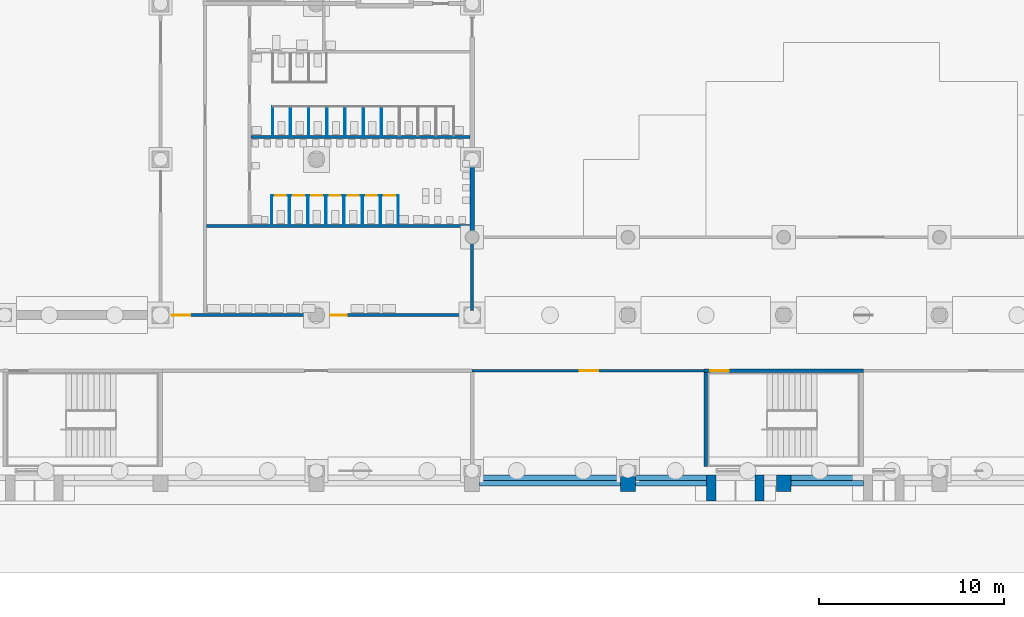
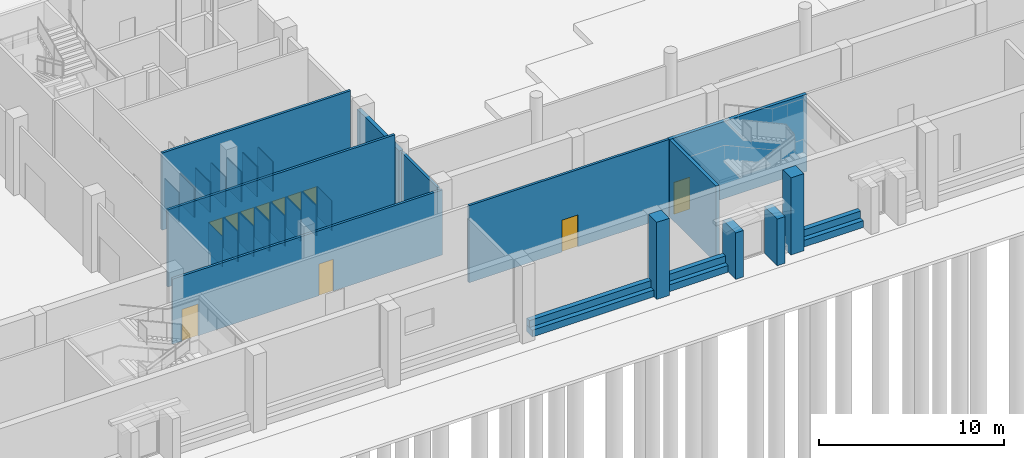
# One storey, part 16 of 74: 52 walls, 11 doors, 11 openings.
"""IFC4 building model written with IfcOpenShell, lengths in metres."""

import ifcopenshell
import ifcopenshell.guid

model = None  # the IFC model being written
_history = None  # IfcOwnerHistory: only IFC2X3 demands one
_inside = {}  # id of a spatial element -> (the spatial element, [elements in it])
_under = {}  # id of a project, library or spatial element -> (it, [spatial elements below it])
_declared = {}  # id of a project -> (the project, [libraries it declares])
_typed = {}  # id of a type object -> (the type object, [elements of that type])
_made_of = {}  # id of a material, layer set ... -> (it, [elements and type objects made of it])


def new_model(schema):
    """Start an empty IFC model of exactly this schema.

    Asked for "IFC4X3", IfcOpenShell would pick the latest addendum, in which some entities
    have other attributes; the version numbers below select the first issue.
    IFC2X3 requires an IfcOwnerHistory on every rooted entity: one is made here for all.
    """
    global model, _history
    if schema == "IFC4X3":
        model = ifcopenshell.file(schema_version=(4, 3, 0, 0))
    else:
        model = ifcopenshell.file(schema=schema)
    _inside.clear()
    _under.clear()
    _declared.clear()
    _typed.clear()
    _made_of.clear()
    _history = None
    if model.schema == "IFC2X3":
        org = make("IfcOrganization", Name="unknown")
        user = make(
            "IfcPersonAndOrganization",
            ThePerson=make("IfcPerson", FamilyName="unknown"),
            TheOrganization=org,
        )
        app = make(
            "IfcApplication",
            ApplicationDeveloper=org,
            Version="unknown",
            ApplicationFullName="unknown",
            ApplicationIdentifier="unknown",
        )
        _history = make(
            "IfcOwnerHistory",
            OwningUser=user,
            OwningApplication=app,
            ChangeAction="ADDED",
            CreationDate=0,
        )
    return model


def make(cls, **values):
    """One entity of the class cls with the attributes given. An attribute that is None is left unset."""
    return model.create_entity(
        cls, **{name: value for name, value in values.items() if value is not None}
    )


def rooted(cls, **values):
    """An entity with a GlobalId (a new one), such as an element, a storey or a relation."""
    return make(cls, GlobalId=ifcopenshell.guid.new(), OwnerHistory=_history, **values)


def si_unit(unit_type, name, prefix=None):
    """IfcSIUnit, for example si_unit("LENGTHUNIT", "METRE", prefix="MILLI")."""
    return make("IfcSIUnit", UnitType=unit_type, Prefix=prefix, Name=name)


def assignment(units):
    """IfcUnitAssignment: the units of a project."""
    return None if units is None else make("IfcUnitAssignment", Units=units)


def point(xyz):
    """IfcCartesianPoint."""
    return None if xyz is None else make("IfcCartesianPoint", Coordinates=xyz)


def direction(xyz):
    """IfcDirection."""
    return None if xyz is None else make("IfcDirection", DirectionRatios=xyz)


def frame(location, z_axis=None, x_axis=None):
    """IfcAxis2Placement3D, a coordinate frame: its origin and axes. An axis left out is left unset."""
    return make(
        "IfcAxis2Placement3D",
        Location=point(location),
        Axis=direction(z_axis),
        RefDirection=direction(x_axis),
    )


def frame_2d(location, x_axis=None):
    """IfcAxis2Placement2D, a coordinate frame in the plane: its origin and x axis."""
    return make(
        "IfcAxis2Placement2D", Location=point(location), RefDirection=direction(x_axis)
    )


def origin():
    """The frame at (0, 0, 0) with its axes left unset."""
    return frame((0.0, 0.0, 0.0))


def place(relative_to, where):
    """IfcLocalPlacement: puts the frame where relative to a parent placement (None: the world)."""
    return make(
        "IfcLocalPlacement", PlacementRelTo=relative_to, RelativePlacement=where
    )


def context(
    kind, dimensions, precision=None, world=None, true_north=None, identifier=None
):
    """IfcGeometricRepresentationContext, for example the 3D "Model" context."""
    return make(
        "IfcGeometricRepresentationContext",
        ContextIdentifier=identifier,
        ContextType=kind,
        CoordinateSpaceDimension=dimensions,
        Precision=precision,
        WorldCoordinateSystem=world,
        TrueNorth=true_north,
    )


def subcontext(parent, identifier, kind, view, scale=None):
    """IfcGeometricRepresentationSubContext, for example "Body" below "Model"."""
    return make(
        "IfcGeometricRepresentationSubContext",
        ContextIdentifier=identifier,
        ContextType=kind,
        ParentContext=parent,
        TargetScale=scale,
        TargetView=view,
    )


def project(units=None, contexts=None):
    """IfcProject with its units and contexts."""
    return rooted(
        "IfcProject",
        Name="project",
        RepresentationContexts=contexts,
        UnitsInContext=assignment(units),
    )


def spatial(cls, under=None, at=None, **own):
    """A site, building, storey or space (cls), placed at a placement, below another one or the project."""
    s = rooted(cls, ObjectPlacement=at, **own)
    if under is not None:
        _under.setdefault(under.id(), (under, []))[1].append(s)
    return s


def profile(cls, at=None, kind="AREA", **sizes):
    """A parametric profile (cls). Its sizes go by their IFC names, for example OverallWidth=200.0."""
    return make(cls, ProfileType=kind, Position=at, **sizes)


def rectangle(**sizes):
    """IfcRectangleProfileDef."""
    return profile("IfcRectangleProfileDef", **sizes)


def extrude(swept, where, along, depth):
    """IfcExtrudedAreaSolid: the profile swept, set in the frame where, extruded along a direction by depth."""
    return make(
        "IfcExtrudedAreaSolid",
        SweptArea=swept,
        Position=where,
        ExtrudedDirection=direction(along),
        Depth=depth,
    )


def shape(context_of_items, identifier, shape_type, items):
    """IfcShapeRepresentation: the items that make up one representation, for example the "Body"."""
    return make(
        "IfcShapeRepresentation",
        ContextOfItems=context_of_items,
        RepresentationIdentifier=identifier,
        RepresentationType=shape_type,
        Items=items,
    )


def material(Name=None, Category=None):
    """IfcMaterial."""
    return make("IfcMaterial", Name=Name, Category=Category)


def layer(
    of_material, thickness, ventilated=None, Name=None, Category=None, Priority=None
):
    """IfcMaterialLayer: one layer of a wall or slab, of a material (None: an air gap)."""
    return make(
        "IfcMaterialLayer",
        Material=of_material,
        LayerThickness=thickness,
        IsVentilated=ventilated,
        Name=Name,
        Category=Category,
        Priority=Priority,
    )


def layer_set(layers, Name=None):
    """IfcMaterialLayerSet."""
    return make("IfcMaterialLayerSet", MaterialLayers=layers, LayerSetName=Name)


def made_of(thing, what):
    """Note that an element or type object is made of a material, layer set ...; save() writes the relation."""
    if what is not None:
        _made_of.setdefault(what.id(), (what, []))[1].append(thing)
    return thing


def type_object(cls, material=None, **own):
    """A type object (cls), such as IfcWallType, which elements share."""
    return made_of(rooted(cls, **own), material)


def element(
    cls,
    number,
    at=None,
    inside=None,
    cuts=None,
    type_object=None,
    material=None,
    context=None,
    identifier="Body",
    shape_type=None,
    held_by="IfcProductDefinitionShape",
    body=None,
    shapes=None,
    **own,
):
    """One element of the class cls, such as IfcWall. Its Tag is "e" and its number.

    at: its placement. inside: the storey or other place that contains it. cuts: it is an
    opening in that element (IfcRelVoidsElement). A single representation is given by context,
    identifier, shape_type and body (its items); several are given by shapes. held_by: the class
    of the entity that holds the representations. save() writes the other relations.
    """
    e = rooted(cls, Tag="e%d" % number, ObjectPlacement=at, **own)
    if body is not None:
        shapes = [shape(context, identifier, shape_type, body)]
    if shapes is not None:
        e.Representation = make(held_by, Representations=shapes)
    if inside is not None:
        _inside.setdefault(inside.id(), (inside, []))[1].append(e)
    if cuts is not None:
        rooted(
            "IfcRelVoidsElement", RelatingBuildingElement=cuts, RelatedOpeningElement=e
        )
    if type_object is not None:
        _typed.setdefault(type_object.id(), (type_object, []))[1].append(e)
    return made_of(e, material)


def fill(opening, filler):
    """IfcRelFillsElement: the door or window that sits in an opening."""
    return rooted(
        "IfcRelFillsElement",
        RelatingOpeningElement=opening,
        RelatedBuildingElement=filler,
    )


def aggregate(whole, parts):
    """IfcRelAggregates: a whole, such as a stair, and the parts it consists of."""
    return rooted("IfcRelAggregates", RelatingObject=whole, RelatedObjects=parts)


def save(model, path):
    """Write the relations noted so far, then the file.

    IfcRelAggregates (storeys below a building ...), IfcRelContainedInSpatialStructure (elements
    in a storey), IfcRelDefinesByType, IfcRelAssociatesMaterial and IfcRelDeclares: one each for
    every whole, place, type object, material and project.
    """
    for whole, parts in _under.values():
        aggregate(whole, parts)
    for where, things in _inside.values():
        rooted(
            "IfcRelContainedInSpatialStructure",
            RelatedElements=things,
            RelatingStructure=where,
        )
    for kind, things in _typed.values():
        rooted("IfcRelDefinesByType", RelatedObjects=things, RelatingType=kind)
    for what, things in _made_of.values():
        rooted("IfcRelAssociatesMaterial", RelatedObjects=things, RelatingMaterial=what)
    for by, libraries in _declared.values():
        rooted("IfcRelDeclares", RelatingContext=by, RelatedDefinitions=libraries)
    model.write(path)


model = new_model("IFC4")

# Units and contexts
model_context = context("Model", 3, precision=1e-05, world=origin(), true_north=direction((0.0, 1.0)))
body_context = subcontext(model_context, "Body", "Model", "MODEL_VIEW")
ifc_project = project(units=[si_unit("LENGTHUNIT", "METRE"), si_unit("AREAUNIT", "SQUARE_METRE"), si_unit("VOLUMEUNIT", "CUBIC_METRE"), si_unit("PLANEANGLEUNIT", "RADIAN"), si_unit("MASSUNIT", "GRAM", prefix="KILO")], contexts=[model_context])

# Site, building, storey
site_placement = place(None, origin())
site = spatial("IfcSite", under=ifc_project, at=site_placement, CompositionType="ELEMENT")
building_placement = place(site_placement, origin())
building = spatial("IfcBuilding", under=site, at=building_placement, Name="Rulbaag Community and Learning Centre", CompositionType="ELEMENT")
storey_placement = place(building_placement, origin())
storey = spatial("IfcBuildingStorey", under=building, at=storey_placement, Name="L00", CompositionType="ELEMENT", Elevation=0.0)

# Walls
ifc_material_1 = material(Name="High pressure laminate", Category="wood")
ifc_layer_1 = layer(ifc_material_1, 0.0400390625)
ifc_layer_set_1 = layer_set([ifc_layer_1], Name="CP-40")
wall_type_1 = type_object("IfcWallType", Name="CP-40", PredefinedType="PARTITIONING", material=ifc_layer_set_1)
for number, where, z_axis, x_axis, name in (
    (1, (31.199951171875, 13.27490234375, 0.0), (0.0, 0.0, 1.0), (0.0, 1.0, 0.0), "Cubicle partition"),
    (2, (32.139892578125, 13.27490234375, 0.0), (0.0, 0.0, 1.0), (0.0, 1.0, 0.0), "Cubicle partition"),
):
    element("IfcWall", number, at=place(storey_placement, frame(where, z_axis=z_axis, x_axis=x_axis)), inside=storey, type_object=wall_type_1, Name=name, PredefinedType="PARTITIONING", context=body_context, shape_type="SweptSolid", body=[
        extrude(rectangle(XDim=1.59521484375, YDim=0.0400390625, at=frame_2d((0.797607421875, 0.0))), origin(), (0.0, 0.0, 1.0), 2.0),
    ])

# Wall, opening, door
wall_1_placement = place(storey_placement, frame((31.219970703125, 14.85009765625, 0.0), z_axis=(0.0, 0.0, 1.0), x_axis=(1.0, 0.0, 0.0)))
wall_1 = element("IfcWall", 3, at=wall_1_placement, inside=storey, type_object=wall_type_1, Name="Cubicle partition", PredefinedType="PARTITIONING", context=body_context, shape_type="SweptSolid", body=[
    extrude(rectangle(XDim=0.900146484375, YDim=0.0400390625, at=frame_2d((0.4501953125, 0.0))), origin(), (0.0, 0.0, 1.0), 2.0),
])
opening_1_placement = place(wall_1_placement, frame((0.050048828125, 0.0, 0.0)))
opening_1 = element("IfcOpeningElement", 4, at=opening_1_placement, cuts=wall_1, Name="Opening L00-D031", PredefinedType="OPENING", context=body_context, shape_type="SweptSolid", body=[
    extrude(rectangle(XDim=0.800048828125, YDim=2.0, at=frame_2d((0.39990234375, 1.0))), frame((0.0, 0.030029296875, 0.0), z_axis=(0.0, -1.0, 0.0), x_axis=(1.0, 0.0, 0.0)), (0.0, 0.0, 1.0), 0.06005859375),
])
door_type_1 = type_object("IfcDoorType", Name="DC-80", OperationType="SINGLE_SWING_LEFT", PredefinedType="DOOR", material=ifc_material_1)
door_1_placement = place(opening_1_placement, origin())
door_1 = element("IfcDoor", 5, at=door_1_placement, inside=storey, type_object=door_type_1, Name="Cubicle door", OperationType="SINGLE_SWING_LEFT", OverallHeight=2.0, OverallWidth=0.800048828125, PredefinedType="DOOR", context=body_context, shape_type="SweptSolid", body=[
    extrude(rectangle(XDim=0.800048828125, YDim=2.0, at=frame_2d((0.39990234375, 1.0))), frame((0.0, 0.019775390625, 0.0), z_axis=(0.0, -1.0, 0.0), x_axis=(1.0, 0.0, 0.0)), (0.0, 0.0, 1.0), 0.03955078125),
])
fill(opening_1, door_1)

# Walls
for number, where, z_axis, x_axis, name in (
    (6, (32.179931640625, 13.27490234375, 0.0), (0.0, 0.0, 1.0), (0.0, 1.0, 0.0), "Cubicle partition"),
    (7, (33.1201171875, 13.27490234375, 0.0), (0.0, 0.0, 1.0), (0.0, 1.0, 0.0), "Cubicle partition"),
):
    element("IfcWall", number, at=place(storey_placement, frame(where, z_axis=z_axis, x_axis=x_axis)), inside=storey, type_object=wall_type_1, Name=name, PredefinedType="PARTITIONING", context=body_context, shape_type="SweptSolid", body=[
        extrude(rectangle(XDim=1.59521484375, YDim=0.0400390625, at=frame_2d((0.797607421875, 0.0))), origin(), (0.0, 0.0, 1.0), 2.0),
    ])

# Wall, opening, door
wall_2_placement = place(storey_placement, frame((32.199951171875, 14.85009765625, 0.0), z_axis=(0.0, 0.0, 1.0), x_axis=(1.0, 0.0, 0.0)))
wall_2 = element("IfcWall", 8, at=wall_2_placement, inside=storey, type_object=wall_type_1, Name="Cubicle partition", PredefinedType="PARTITIONING", context=body_context, shape_type="SweptSolid", body=[
    extrude(rectangle(XDim=0.900146484375, YDim=0.0400390625, at=frame_2d((0.4501953125, 0.0))), origin(), (0.0, 0.0, 1.0), 2.0),
])
opening_2_placement = place(wall_2_placement, frame((0.050048828125, 0.0, 0.0)))
opening_2 = element("IfcOpeningElement", 9, at=opening_2_placement, cuts=wall_2, Name="Opening L00-D036", PredefinedType="OPENING", context=body_context, shape_type="SweptSolid", body=[
    extrude(rectangle(XDim=0.800048828125, YDim=2.0, at=frame_2d((0.39990234375, 1.0))), frame((0.0, 0.030029296875, 0.0), z_axis=(0.0, -1.0, 0.0), x_axis=(1.0, 0.0, 0.0)), (0.0, 0.0, 1.0), 0.06005859375),
])
door_2_placement = place(opening_2_placement, origin())
door_2 = element("IfcDoor", 10, at=door_2_placement, inside=storey, type_object=door_type_1, Name="Cubicle door", OperationType="SINGLE_SWING_LEFT", OverallHeight=2.0, OverallWidth=0.800048828125, PredefinedType="DOOR", context=body_context, shape_type="SweptSolid", body=[
    extrude(rectangle(XDim=0.800048828125, YDim=2.0, at=frame_2d((0.39990234375, 1.0))), frame((0.0, 0.019775390625, 0.0), z_axis=(0.0, -1.0, 0.0), x_axis=(1.0, 0.0, 0.0)), (0.0, 0.0, 1.0), 0.03955078125),
])
fill(opening_2, door_2)

# Walls
for number, where, z_axis, x_axis, name in (
    (11, (33.159912109375, 13.27490234375, 0.0), (0.0, 0.0, 1.0), (0.0, 1.0, 0.0), "Cubicle partition"),
    (12, (34.10009765625, 13.27490234375, 0.0), (0.0, 0.0, 1.0), (0.0, 1.0, 0.0), "Cubicle partition"),
):
    element("IfcWall", number, at=place(storey_placement, frame(where, z_axis=z_axis, x_axis=x_axis)), inside=storey, type_object=wall_type_1, Name=name, PredefinedType="PARTITIONING", context=body_context, shape_type="SweptSolid", body=[
        extrude(rectangle(XDim=1.59521484375, YDim=0.0400390625, at=frame_2d((0.797607421875, 0.0))), origin(), (0.0, 0.0, 1.0), 2.0),
    ])

# Wall, opening, door
wall_3_placement = place(storey_placement, frame((33.179931640625, 14.85009765625, 0.0), z_axis=(0.0, 0.0, 1.0), x_axis=(1.0, 0.0, 0.0)))
wall_3 = element("IfcWall", 13, at=wall_3_placement, inside=storey, type_object=wall_type_1, Name="Cubicle partition", PredefinedType="PARTITIONING", context=body_context, shape_type="SweptSolid", body=[
    extrude(rectangle(XDim=0.900146484375, YDim=0.0400390625, at=frame_2d((0.4501953125, 0.0))), origin(), (0.0, 0.0, 1.0), 2.0),
])
opening_3_placement = place(wall_3_placement, frame((0.050048828125, 0.0, 0.0)))
opening_3 = element("IfcOpeningElement", 14, at=opening_3_placement, cuts=wall_3, Name="Opening L00-D040", PredefinedType="OPENING", context=body_context, shape_type="SweptSolid", body=[
    extrude(rectangle(XDim=0.800048828125, YDim=2.0, at=frame_2d((0.39990234375, 1.0))), frame((0.0, 0.030029296875, 0.0), z_axis=(0.0, -1.0, 0.0), x_axis=(1.0, 0.0, 0.0)), (0.0, 0.0, 1.0), 0.06005859375),
])
door_3_placement = place(opening_3_placement, origin())
door_3 = element("IfcDoor", 15, at=door_3_placement, inside=storey, type_object=door_type_1, Name="Cubicle door", OperationType="SINGLE_SWING_LEFT", OverallHeight=2.0, OverallWidth=0.800048828125, PredefinedType="DOOR", context=body_context, shape_type="SweptSolid", body=[
    extrude(rectangle(XDim=0.800048828125, YDim=2.0, at=frame_2d((0.39990234375, 1.0))), frame((0.0, 0.019775390625, 0.0), z_axis=(0.0, -1.0, 0.0), x_axis=(1.0, 0.0, 0.0)), (0.0, 0.0, 1.0), 0.03955078125),
])
fill(opening_3, door_3)

# Walls
for number, where, z_axis, x_axis, name in (
    (16, (34.139892578125, 13.27490234375, 0.0), (0.0, 0.0, 1.0), (0.0, 1.0, 0.0), "Cubicle partition"),
    (17, (35.080078125, 13.27490234375, 0.0), (0.0, 0.0, 1.0), (0.0, 1.0, 0.0), "Cubicle partition"),
):
    element("IfcWall", number, at=place(storey_placement, frame(where, z_axis=z_axis, x_axis=x_axis)), inside=storey, type_object=wall_type_1, Name=name, PredefinedType="PARTITIONING", context=body_context, shape_type="SweptSolid", body=[
        extrude(rectangle(XDim=1.59521484375, YDim=0.0400390625, at=frame_2d((0.797607421875, 0.0))), origin(), (0.0, 0.0, 1.0), 2.0),
    ])

# Wall, opening, door
wall_4_placement = place(storey_placement, frame((34.159912109375, 14.85009765625, 0.0), z_axis=(0.0, 0.0, 1.0), x_axis=(1.0, 0.0, 0.0)))
wall_4 = element("IfcWall", 18, at=wall_4_placement, inside=storey, type_object=wall_type_1, Name="Cubicle partition", PredefinedType="PARTITIONING", context=body_context, shape_type="SweptSolid", body=[
    extrude(rectangle(XDim=0.900146484375, YDim=0.0400390625, at=frame_2d((0.4501953125, 0.0))), origin(), (0.0, 0.0, 1.0), 2.0),
])
opening_4_placement = place(wall_4_placement, frame((0.050048828125, 0.0, 0.0)))
opening_4 = element("IfcOpeningElement", 19, at=opening_4_placement, cuts=wall_4, Name="Opening L00-D044", PredefinedType="OPENING", context=body_context, shape_type="SweptSolid", body=[
    extrude(rectangle(XDim=0.800048828125, YDim=2.0, at=frame_2d((0.39990234375, 1.0))), frame((0.0, 0.030029296875, 0.0), z_axis=(0.0, -1.0, 0.0), x_axis=(1.0, 0.0, 0.0)), (0.0, 0.0, 1.0), 0.06005859375),
])
door_4_placement = place(opening_4_placement, origin())
door_4 = element("IfcDoor", 20, at=door_4_placement, inside=storey, type_object=door_type_1, Name="Cubicle door", OperationType="SINGLE_SWING_LEFT", OverallHeight=2.0, OverallWidth=0.800048828125, PredefinedType="DOOR", context=body_context, shape_type="SweptSolid", body=[
    extrude(rectangle(XDim=0.800048828125, YDim=2.0, at=frame_2d((0.39990234375, 1.0))), frame((0.0, 0.019775390625, 0.0), z_axis=(0.0, -1.0, 0.0), x_axis=(1.0, 0.0, 0.0)), (0.0, 0.0, 1.0), 0.03955078125),
])
fill(opening_4, door_4)

# Walls
for number, where, z_axis, x_axis, name in (
    (21, (35.1201171875, 13.27490234375, 0.0), (0.0, 0.0, 1.0), (0.0, 1.0, 0.0), "Cubicle partition"),
    (22, (36.06005859375, 13.27490234375, 0.0), (0.0, 0.0, 1.0), (0.0, 1.0, 0.0), "Cubicle partition"),
):
    element("IfcWall", number, at=place(storey_placement, frame(where, z_axis=z_axis, x_axis=x_axis)), inside=storey, type_object=wall_type_1, Name=name, PredefinedType="PARTITIONING", context=body_context, shape_type="SweptSolid", body=[
        extrude(rectangle(XDim=1.59521484375, YDim=0.0400390625, at=frame_2d((0.797607421875, 0.0))), origin(), (0.0, 0.0, 1.0), 2.0),
    ])

# Wall, opening, door
wall_5_placement = place(storey_placement, frame((35.139892578125, 14.85009765625, 0.0), z_axis=(0.0, 0.0, 1.0), x_axis=(1.0, 0.0, 0.0)))
wall_5 = element("IfcWall", 23, at=wall_5_placement, inside=storey, type_object=wall_type_1, Name="Cubicle partition", PredefinedType="PARTITIONING", context=body_context, shape_type="SweptSolid", body=[
    extrude(rectangle(XDim=0.900146484375, YDim=0.0400390625, at=frame_2d((0.4501953125, 0.0))), origin(), (0.0, 0.0, 1.0), 2.0),
])
opening_5_placement = place(wall_5_placement, frame((0.050048828125, 0.0, 0.0)))
opening_5 = element("IfcOpeningElement", 24, at=opening_5_placement, cuts=wall_5, Name="Opening L00-D047", PredefinedType="OPENING", context=body_context, shape_type="SweptSolid", body=[
    extrude(rectangle(XDim=0.800048828125, YDim=2.0, at=frame_2d((0.39990234375, 1.0))), frame((0.0, 0.030029296875, 0.0), z_axis=(0.0, -1.0, 0.0), x_axis=(1.0, 0.0, 0.0)), (0.0, 0.0, 1.0), 0.06005859375),
])
door_5_placement = place(opening_5_placement, origin())
door_5 = element("IfcDoor", 25, at=door_5_placement, inside=storey, type_object=door_type_1, Name="Cubicle door", OperationType="SINGLE_SWING_LEFT", OverallHeight=2.0, OverallWidth=0.800048828125, PredefinedType="DOOR", context=body_context, shape_type="SweptSolid", body=[
    extrude(rectangle(XDim=0.800048828125, YDim=2.0, at=frame_2d((0.39990234375, 1.0))), frame((0.0, 0.019775390625, 0.0), z_axis=(0.0, -1.0, 0.0), x_axis=(1.0, 0.0, 0.0)), (0.0, 0.0, 1.0), 0.03955078125),
])
fill(opening_5, door_5)

# Walls
for number, where, z_axis, x_axis, name in (
    (26, (36.10009765625, 13.27490234375, 0.0), (0.0, 0.0, 1.0), (0.0, 1.0, 0.0), "Cubicle partition"),
    (27, (37.0400390625, 13.27490234375, 0.0), (0.0, 0.0, 1.0), (0.0, 1.0, 0.0), "Cubicle partition"),
):
    element("IfcWall", number, at=place(storey_placement, frame(where, z_axis=z_axis, x_axis=x_axis)), inside=storey, type_object=wall_type_1, Name=name, PredefinedType="PARTITIONING", context=body_context, shape_type="SweptSolid", body=[
        extrude(rectangle(XDim=1.59521484375, YDim=0.0400390625, at=frame_2d((0.797607421875, 0.0))), origin(), (0.0, 0.0, 1.0), 2.0),
    ])

# Wall, opening, door
wall_6_placement = place(storey_placement, frame((36.1201171875, 14.85009765625, 0.0), z_axis=(0.0, 0.0, 1.0), x_axis=(1.0, 0.0, 0.0)))
wall_6 = element("IfcWall", 28, at=wall_6_placement, inside=storey, type_object=wall_type_1, Name="Cubicle partition", PredefinedType="PARTITIONING", context=body_context, shape_type="SweptSolid", body=[
    extrude(rectangle(XDim=0.89990234375, YDim=0.0400390625, at=frame_2d((0.449951171875, 0.0))), origin(), (0.0, 0.0, 1.0), 2.0),
])
opening_6_placement = place(wall_6_placement, frame((0.050048828125, 0.0, 0.0)))
opening_6 = element("IfcOpeningElement", 29, at=opening_6_placement, cuts=wall_6, Name="Opening L00-D049", PredefinedType="OPENING", context=body_context, shape_type="SweptSolid", body=[
    extrude(rectangle(XDim=0.800048828125, YDim=2.0, at=frame_2d((0.39990234375, 1.0))), frame((0.0, 0.030029296875, 0.0), z_axis=(0.0, -1.0, 0.0), x_axis=(1.0, 0.0, 0.0)), (0.0, 0.0, 1.0), 0.06005859375),
])
door_6_placement = place(opening_6_placement, origin())
door_6 = element("IfcDoor", 30, at=door_6_placement, inside=storey, type_object=door_type_1, Name="Cubicle door", OperationType="SINGLE_SWING_LEFT", OverallHeight=2.0, OverallWidth=0.800048828125, PredefinedType="DOOR", context=body_context, shape_type="SweptSolid", body=[
    extrude(rectangle(XDim=0.800048828125, YDim=2.0, at=frame_2d((0.39990234375, 1.0))), frame((0.0, 0.019775390625, 0.0), z_axis=(0.0, -1.0, 0.0), x_axis=(1.0, 0.0, 0.0)), (0.0, 0.0, 1.0), 0.03955078125),
])
fill(opening_6, door_6)

# Walls
for number, where, z_axis, x_axis, name in (
    (31, (37.080078125, 13.27490234375, 0.0), (0.0, 0.0, 1.0), (0.0, 1.0, 0.0), "Cubicle partition"),
    (32, (38.02001953125, 13.27490234375, 0.0), (0.0, 0.0, 1.0), (0.0, 1.0, 0.0), "Cubicle partition"),
):
    element("IfcWall", number, at=place(storey_placement, frame(where, z_axis=z_axis, x_axis=x_axis)), inside=storey, type_object=wall_type_1, Name=name, PredefinedType="PARTITIONING", context=body_context, shape_type="SweptSolid", body=[
        extrude(rectangle(XDim=1.59521484375, YDim=0.0400390625, at=frame_2d((0.797607421875, 0.0))), origin(), (0.0, 0.0, 1.0), 2.0),
    ])

# Wall, opening, door
wall_7_placement = place(storey_placement, frame((37.10009765625, 14.85009765625, 0.0), z_axis=(0.0, 0.0, 1.0), x_axis=(1.0, 0.0, 0.0)))
wall_7 = element("IfcWall", 33, at=wall_7_placement, inside=storey, type_object=wall_type_1, Name="Cubicle partition", PredefinedType="PARTITIONING", context=body_context, shape_type="SweptSolid", body=[
    extrude(rectangle(XDim=0.89990234375, YDim=0.0400390625, at=frame_2d((0.449951171875, 0.0))), origin(), (0.0, 0.0, 1.0), 2.0),
])
opening_7_placement = place(wall_7_placement, frame((0.050048828125, 0.0, 0.0)))
opening_7 = element("IfcOpeningElement", 34, at=opening_7_placement, cuts=wall_7, Name="Opening L00-D053", PredefinedType="OPENING", context=body_context, shape_type="SweptSolid", body=[
    extrude(rectangle(XDim=0.800048828125, YDim=2.0, at=frame_2d((0.39990234375, 1.0))), frame((0.0, 0.030029296875, 0.0), z_axis=(0.0, -1.0, 0.0), x_axis=(1.0, 0.0, 0.0)), (0.0, 0.0, 1.0), 0.06005859375),
])
door_7_placement = place(opening_7_placement, origin())
door_7 = element("IfcDoor", 35, at=door_7_placement, inside=storey, type_object=door_type_1, Name="Cubicle door", OperationType="SINGLE_SWING_LEFT", OverallHeight=2.0, OverallWidth=0.800048828125, PredefinedType="DOOR", context=body_context, shape_type="SweptSolid", body=[
    extrude(rectangle(XDim=0.800048828125, YDim=2.0, at=frame_2d((0.39990234375, 1.0))), frame((0.0, 0.019775390625, 0.0), z_axis=(0.0, -1.0, 0.0), x_axis=(1.0, 0.0, 0.0)), (0.0, 0.0, 1.0), 0.03955078125),
])
fill(opening_7, door_7)

# Walls
for number, where, z_axis, x_axis, name in (
    (36, (31.25, 18.074951171875, 0.0), (0.0, 0.0, 1.0), (0.0, 1.0, 0.0), "Cubicle partition"),
    (37, (32.18994140625, 18.074951171875, 0.0), (0.0, 0.0, 1.0), (0.0, 1.0, 0.0), "Cubicle partition"),
    (38, (32.22998046875, 18.074951171875, 0.0), (0.0, 0.0, 1.0), (0.0, 1.0, 0.0), "Cubicle partition"),
    (39, (33.169921875, 18.074951171875, 0.0), (0.0, 0.0, 1.0), (0.0, 1.0, 0.0), "Cubicle partition"),
    (40, (33.2099609375, 18.074951171875, 0.0), (0.0, 0.0, 1.0), (0.0, 1.0, 0.0), "Cubicle partition"),
    (41, (34.14990234375, 18.074951171875, 0.0), (0.0, 0.0, 1.0), (0.0, 1.0, 0.0), "Cubicle partition"),
    (42, (34.18994140625, 18.074951171875, 0.0), (0.0, 0.0, 1.0), (0.0, 1.0, 0.0), "Cubicle partition"),
    (43, (35.1298828125, 18.074951171875, 0.0), (0.0, 0.0, 1.0), (0.0, 1.0, 0.0), "Cubicle partition"),
    (44, (35.169921875, 18.074951171875, 0.0), (0.0, 0.0, 1.0), (0.0, 1.0, 0.0), "Cubicle partition"),
    (45, (36.110107421875, 18.074951171875, 0.0), (0.0, 0.0, 1.0), (0.0, 1.0, 0.0), "Cubicle partition"),
    (46, (36.14990234375, 18.074951171875, 0.0), (0.0, 0.0, 1.0), (0.0, 1.0, 0.0), "Cubicle partition"),
    (47, (37.090087890625, 18.074951171875, 0.0), (0.0, 0.0, 1.0), (0.0, 1.0, 0.0), "Cubicle partition"),
    (48, (37.1298828125, 18.074951171875, 0.0), (0.0, 0.0, 1.0), (0.0, 1.0, 0.0), "Cubicle partition"),
):
    element("IfcWall", number, at=place(storey_placement, frame(where, z_axis=z_axis, x_axis=x_axis)), inside=storey, type_object=wall_type_1, Name=name, PredefinedType="PARTITIONING", context=body_context, shape_type="SweptSolid", body=[
        extrude(rectangle(XDim=1.594970703125, YDim=0.0400390625, at=frame_2d((0.79736328125, 0.0))), origin(), (0.0, 0.0, 1.0), 2.0),
    ])
ifc_material_2 = material(Name="Concrete M30", Category="concrete")
ifc_layer_2 = layer(ifc_material_2, 0.25)
ifc_layer_set_2 = layer_set([ifc_layer_2], Name="CW-250 COMPARTMENT WALL 250")
wall_type_2 = type_object("IfcWallType", Name="CW-250 COMPARTMENT WALL 250", PredefinedType="SOLIDWALL", material=ifc_layer_set_2)
wall_8_placement = place(storey_placement, frame((42.0, 12.675048828125, 0.0), z_axis=(0.0, 0.0, 1.0), x_axis=(0.0, 1.0, 0.0)))
element("IfcWall", 49, at=wall_8_placement, inside=storey, type_object=wall_type_2, Name="Fire wall L00 67", PredefinedType="SOLIDWALL", context=body_context, shape_type="SweptSolid", body=[
    extrude(rectangle(XDim=4.554931640625, YDim=0.25, at=frame_2d((2.27734375, 0.0))), origin(), (0.0, 0.0, 1.0), 4.300048828125),
])
ifc_material_3 = material(Name="Concrete M40", Category="concrete")
ifc_layer_3 = layer(ifc_material_3, 0.800048828125)
ifc_layer_set_3 = layer_set([ifc_layer_3], Name="EW-BTR")
wall_type_3 = type_object("IfcWallType", Name="EW-BTR", PredefinedType="SOLIDWALL", material=ifc_layer_set_3)
for number, where, z_axis, x_axis, name in (
    (50, (50.39990234375, -0.22509765625, 0.0), (0.0, 0.0, 1.0), (0.0, -1.0, 0.0), "Buttress pier"),
    (51, (58.800048828125, -0.22509765625, 0.0), (0.0, 0.0, 1.0), (0.0, -1.0, 0.0), "Buttress pier"),
):
    element("IfcWall", number, at=place(storey_placement, frame(where, z_axis=z_axis, x_axis=x_axis)), inside=storey, type_object=wall_type_3, Name=name, PredefinedType="SOLIDWALL", context=body_context, shape_type="SweptSolid", body=[
        extrude(rectangle(XDim=0.89990234375, YDim=0.800048828125, at=frame_2d((0.449951171875, 0.0))), origin(), (0.0, 0.0, 1.0), 5.10009765625),
    ])
ifc_layer_4 = layer(ifc_material_3, 0.5)
ifc_layer_set_4 = layer_set([ifc_layer_4], Name="EW-PJB5")
wall_type_4 = type_object("IfcWallType", Name="EW-PJB5", PredefinedType="SOLIDWALL", material=ifc_layer_set_4)
for number, where, z_axis, x_axis, name in (
    (52, (54.89990234375, -0.22509765625, 0.0), (0.0, 0.0, 1.0), (0.0, -1.0, 0.0), "Portal jamb"),
    (53, (57.5, -0.22509765625, 0.0), (0.0, 0.0, 1.0), (0.0, -1.0, 0.0), "Portal jamb"),
):
    element("IfcWall", number, at=place(storey_placement, frame(where, z_axis=z_axis, x_axis=x_axis)), inside=storey, type_object=wall_type_4, Name=name, PredefinedType="SOLIDWALL", context=body_context, shape_type="SweptSolid", body=[
        extrude(rectangle(XDim=1.39990234375, YDim=0.5, at=frame_2d((0.699951171875, 0.0))), origin(), (0.0, 0.0, 1.0), 3.080078125),
    ])
ifc_layer_5 = layer(ifc_material_3, 0.60009765625)
ifc_layer_set_5 = layer_set([ifc_layer_5], Name="EW-PLN1")
wall_type_5 = type_object("IfcWallType", Name="EW-PLN1", PredefinedType="SOLIDWALL", material=ifc_layer_set_5)
wall_9_placement = place(storey_placement, frame((42.39990234375, -0.52490234375, 0.0), z_axis=(0.0, 0.0, 1.0), x_axis=(1.0, 0.0, 0.0)))
element("IfcWall", 54, at=wall_9_placement, inside=storey, type_object=wall_type_5, Name="Battered plinth", PredefinedType="SOLIDWALL", context=body_context, shape_type="SweptSolid", body=[
    extrude(rectangle(XDim=7.60009765625, YDim=0.60009765625, at=frame_2d((3.800048828125, 0.0))), origin(), (0.0, 0.0, 1.0), 0.449951171875),
])
wall_10_placement = place(storey_placement, frame((50.800048828125, -0.52490234375, 0.0), z_axis=(0.0, 0.0, 1.0), x_axis=(1.0, 0.0, 0.0)))
element("IfcWall", 55, at=wall_10_placement, inside=storey, type_object=wall_type_5, Name="Battered plinth", PredefinedType="SOLIDWALL", context=body_context, shape_type="SweptSolid", body=[
    extrude(rectangle(XDim=3.849853515625, YDim=0.60009765625, at=frame_2d((1.9248046875, 0.0))), origin(), (0.0, 0.0, 1.0), 0.449951171875),
])
wall_11_placement = place(storey_placement, frame((59.199951171875, -0.52490234375, 0.0), z_axis=(0.0, 0.0, 1.0), x_axis=(1.0, 0.0, 0.0)))
element("IfcWall", 56, at=wall_11_placement, inside=storey, type_object=wall_type_5, Name="Battered plinth", PredefinedType="SOLIDWALL", context=body_context, shape_type="SweptSolid", body=[
    extrude(rectangle(XDim=3.900146484375, YDim=0.60009765625, at=frame_2d((1.9501953125, 0.0))), origin(), (0.0, 0.0, 1.0), 0.449951171875),
])
ifc_layer_6 = layer(ifc_material_3, 0.300048828125)
ifc_layer_set_6 = layer_set([ifc_layer_6], Name="EW-PLN2")
wall_type_6 = type_object("IfcWallType", Name="EW-PLN2", PredefinedType="SOLIDWALL", material=ifc_layer_set_6)
wall_12_placement = place(storey_placement, frame((42.39990234375, -0.375, 0.449951171875), z_axis=(0.0, 0.0, 1.0), x_axis=(1.0, 0.0, 0.0)))
element("IfcWall", 57, at=wall_12_placement, inside=storey, type_object=wall_type_6, Name="Battered plinth", PredefinedType="SOLIDWALL", context=body_context, shape_type="SweptSolid", body=[
    extrude(rectangle(XDim=7.60009765625, YDim=0.300048828125, at=frame_2d((3.800048828125, 0.0))), origin(), (0.0, 0.0, 1.0), 0.449951171875),
])
wall_13_placement = place(storey_placement, frame((50.800048828125, -0.375, 0.449951171875), z_axis=(0.0, 0.0, 1.0), x_axis=(1.0, 0.0, 0.0)))
element("IfcWall", 58, at=wall_13_placement, inside=storey, type_object=wall_type_6, Name="Battered plinth", PredefinedType="SOLIDWALL", context=body_context, shape_type="SweptSolid", body=[
    extrude(rectangle(XDim=3.849853515625, YDim=0.300048828125, at=frame_2d((1.9248046875, 0.0))), origin(), (0.0, 0.0, 1.0), 0.449951171875),
])
wall_14_placement = place(storey_placement, frame((59.199951171875, -0.375, 0.449951171875), z_axis=(0.0, 0.0, 1.0), x_axis=(1.0, 0.0, 0.0)))
element("IfcWall", 59, at=wall_14_placement, inside=storey, type_object=wall_type_6, Name="Battered plinth", PredefinedType="SOLIDWALL", context=body_context, shape_type="SweptSolid", body=[
    extrude(rectangle(XDim=3.900146484375, YDim=0.300048828125, at=frame_2d((1.9501953125, 0.0))), origin(), (0.0, 0.0, 1.0), 0.449951171875),
])

# Wall, opening, door
ifc_material_4 = material(Name="Concrete blockwork", Category="masonry")
ifc_layer_7 = layer(ifc_material_4, 0.14990234375)
ifc_layer_set_7 = layer_set([ifc_layer_7], Name="IP-150 PARTITION 150")
wall_type_7 = type_object("IfcWallType", Name="IP-150 PARTITION 150", PredefinedType="PARTITIONING", material=ifc_layer_set_7)
wall_15_placement = place(storey_placement, frame((42.0, 5.39990234375, 0.0), z_axis=(0.0, 0.0, 1.0), x_axis=(1.0, 0.0, 0.0)))
wall_15 = element("IfcWall", 60, at=wall_15_placement, inside=storey, type_object=wall_type_7, Name="Partition L00 3", PredefinedType="PARTITIONING", context=body_context, shape_type="SweptSolid", body=[
    extrude(rectangle(XDim=12.5, YDim=0.14990234375, at=frame_2d((6.25, 0.0))), origin(), (0.0, 0.0, 1.0), 5.10009765625),
])
opening_8_placement = place(wall_15_placement, frame((5.800048828125, 0.0, 0.0)))
opening_8 = element("IfcOpeningElement", 61, at=opening_8_placement, cuts=wall_15, Name="Opening L00-D064", PredefinedType="OPENING", context=body_context, shape_type="SweptSolid", body=[
    extrude(rectangle(XDim=1.0, YDim=2.10009765625, at=frame_2d((0.5, 1.050048828125))), frame((0.0, 0.0849609375, 0.0), z_axis=(0.0, -1.0, 0.0), x_axis=(1.0, 0.0, 0.0)), (0.0, 0.0, 1.0), 0.169921875),
])
ifc_material_5 = material(Name="Timber", Category="wood")
door_type_2 = type_object("IfcDoorType", Name="D-1000 DOOR 1000 x 2100", OperationType="SINGLE_SWING_LEFT", PredefinedType="DOOR", material=ifc_material_5)
door_8_placement = place(opening_8_placement, origin())
door_8 = element("IfcDoor", 62, at=door_8_placement, inside=storey, type_object=door_type_2, Name="Door L00-D064", OperationType="SINGLE_SWING_RIGHT", OverallHeight=2.10009765625, OverallWidth=1.0, PredefinedType="DOOR", context=body_context, shape_type="SweptSolid", body=[
    extrude(rectangle(XDim=1.0, YDim=2.10009765625, at=frame_2d((0.5, 1.050048828125))), frame((0.0, 0.02490234375, 0.0), z_axis=(0.0, -1.0, 0.0), x_axis=(1.0, 0.0, 0.0)), (0.0, 0.0, 1.0), 0.050048828125),
])
fill(opening_8, door_8)

# Wall, openings, doors
wall_16_placement = place(storey_placement, frame((25.199951171875, 8.39990234375, 0.0), z_axis=(0.0, 0.0, 1.0), x_axis=(1.0, 0.0, 0.0)))
wall_16 = element("IfcWall", 63, at=wall_16_placement, inside=storey, type_object=wall_type_7, Name="Partition L00 5", PredefinedType="PARTITIONING", context=body_context, shape_type="SweptSolid", body=[
    extrude(rectangle(XDim=16.875, YDim=0.14990234375, at=frame_2d((8.4375, 0.0))), origin(), (0.0, 0.0, 1.0), 4.300048828125),
])
opening_9_placement = place(wall_16_placement, frame((9.14990234375, 0.0, 0.0)))
opening_9 = element("IfcOpeningElement", 64, at=opening_9_placement, cuts=wall_16, Name="Opening L00-D046", PredefinedType="OPENING", context=body_context, shape_type="SweptSolid", body=[
    extrude(rectangle(XDim=0.89990234375, YDim=2.10009765625, at=frame_2d((0.449951171875, 1.050048828125))), frame((0.0, 0.0849609375, 0.0), z_axis=(0.0, -1.0, 0.0), x_axis=(1.0, 0.0, 0.0)), (0.0, 0.0, 1.0), 0.169921875),
])
opening_10_placement = place(wall_16_placement, frame((0.60009765625, 0.0, 0.0)))
opening_10 = element("IfcOpeningElement", 65, at=opening_10_placement, cuts=wall_16, Name="Opening L00-D020", PredefinedType="OPENING", context=body_context, shape_type="SweptSolid", body=[
    extrude(rectangle(XDim=1.0, YDim=2.10009765625, at=frame_2d((0.5, 1.050048828125))), frame((0.0, 0.0849609375, 0.0), z_axis=(0.0, -1.0, 0.0), x_axis=(1.0, 0.0, 0.0)), (0.0, 0.0, 1.0), 0.169921875),
])
door_9_placement = place(opening_10_placement, origin())
door_9 = element("IfcDoor", 66, at=door_9_placement, inside=storey, type_object=door_type_2, Name="Door L00-D020", OperationType="SINGLE_SWING_RIGHT", OverallHeight=2.10009765625, OverallWidth=1.0, PredefinedType="DOOR", context=body_context, shape_type="SweptSolid", body=[
    extrude(rectangle(XDim=1.0, YDim=2.10009765625, at=frame_2d((0.5, 1.050048828125))), frame((0.0, 0.02490234375, 0.0), z_axis=(0.0, -1.0, 0.0), x_axis=(1.0, 0.0, 0.0)), (0.0, 0.0, 1.0), 0.050048828125),
])
fill(opening_10, door_9)
door_type_3 = type_object("IfcDoorType", Name="DW-900 TOILET DOOR 900 x 2100", OperationType="SINGLE_SWING_LEFT", PredefinedType="DOOR", material=ifc_material_5)
door_10_placement = place(opening_9_placement, origin())
door_10 = element("IfcDoor", 67, at=door_10_placement, inside=storey, type_object=door_type_3, Name="Door L00-D046", OperationType="SINGLE_SWING_LEFT", OverallHeight=2.10009765625, OverallWidth=0.89990234375, PredefinedType="DOOR", context=body_context, shape_type="SweptSolid", body=[
    extrude(rectangle(XDim=0.89990234375, YDim=2.10009765625, at=frame_2d((0.449951171875, 1.050048828125))), frame((0.0, 0.02490234375, 0.0), z_axis=(0.0, -1.0, 0.0), x_axis=(1.0, 0.0, 0.0)), (0.0, 0.0, 1.0), 0.050048828125),
])
fill(opening_9, door_10)

# Walls
wall_17_placement = place(storey_placement, frame((27.675048828125, 13.199951171875, 0.0), z_axis=(0.0, 0.0, 1.0), x_axis=(1.0, 0.0, 0.0)))
element("IfcWall", 68, at=wall_17_placement, inside=storey, type_object=wall_type_7, Name="Partition L00 10", PredefinedType="PARTITIONING", context=body_context, shape_type="SweptSolid", body=[
    extrude(rectangle(XDim=14.199951171875, YDim=0.14990234375, at=frame_2d((7.10009765625, 0.0))), origin(), (0.0, 0.0, 1.0), 5.10009765625),
])
wall_18_placement = place(storey_placement, frame((30.074951171875, 18.0, 0.0), z_axis=(0.0, 0.0, 1.0), x_axis=(1.0, 0.0, 0.0)))
element("IfcWall", 69, at=wall_18_placement, inside=storey, type_object=wall_type_7, Name="Partition L00 13", PredefinedType="PARTITIONING", context=body_context, shape_type="SweptSolid", body=[
    extrude(rectangle(XDim=11.800048828125, YDim=0.14990234375, at=frame_2d((5.89990234375, 0.0))), origin(), (0.0, 0.0, 1.0), 5.10009765625),
])
wall_19_placement = place(storey_placement, frame((42.0, 8.64990234375, 0.0), z_axis=(0.0, 0.0, 1.0), x_axis=(0.0, 1.0, 0.0)))
element("IfcWall", 70, at=wall_19_placement, inside=storey, type_object=wall_type_7, Name="Partition L00 66", PredefinedType="PARTITIONING", context=body_context, shape_type="SweptSolid", body=[
    extrude(rectangle(XDim=3.875, YDim=0.14990234375, at=frame_2d((1.9375, 0.0))), origin(), (0.0, 0.0, 1.0), 4.300048828125),
])

# Wall, opening, door
ifc_layer_8 = layer(ifc_material_3, 0.199951171875)
ifc_layer_set_8 = layer_set([ifc_layer_8], Name="WSE Stair enclosure wall 200 Concrete M40")
wall_type_8 = type_object("IfcWallType", Name="WSE Stair enclosure wall 200 Concrete M40", PredefinedType="SHEAR", material=ifc_layer_set_8)
wall_20_placement = place(storey_placement, frame((54.5, 5.39990234375, 0.0), z_axis=(0.0, 0.0, 1.0), x_axis=(1.0, 0.0, 0.0)))
wall_20 = element("IfcWall", 71, at=wall_20_placement, inside=storey, type_object=wall_type_8, Name="Stair enclosure wall SH8 N L00", PredefinedType="SHEAR", context=body_context, shape_type="SweptSolid", body=[
    extrude(rectangle(XDim=8.60009765625, YDim=0.199951171875, at=frame_2d((4.300048828125, 0.0))), origin(), (0.0, 0.0, 1.0), 5.10009765625),
])
opening_11_placement = place(wall_20_placement, frame((0.35009765625, 0.0, 0.0)))
opening_11 = element("IfcOpeningElement", 72, at=opening_11_placement, cuts=wall_20, Name="Opening L00-D065", PredefinedType="OPENING", context=body_context, shape_type="SweptSolid", body=[
    extrude(rectangle(XDim=1.0, YDim=2.10009765625, at=frame_2d((0.5, 1.050048828125))), frame((0.0, 0.10986328125, 0.0), z_axis=(0.0, -1.0, 0.0), x_axis=(1.0, 0.0, 0.0)), (0.0, 0.0, 1.0), 0.219970703125),
])
ifc_material_6 = material(Name="Galvanised steel", Category="steel")
door_type_4 = type_object("IfcDoorType", Name="FD-1000 FIRE DOOR 1000 x 2100", OperationType="SINGLE_SWING_LEFT", PredefinedType="DOOR", material=ifc_material_6)
door_11_placement = place(opening_11_placement, origin())
door_11 = element("IfcDoor", 73, at=door_11_placement, inside=storey, type_object=door_type_4, Name="Door L00-D065", OperationType="SINGLE_SWING_LEFT", OverallHeight=2.10009765625, OverallWidth=1.0, PredefinedType="DOOR", context=body_context, shape_type="SweptSolid", body=[
    extrude(rectangle(XDim=1.0, YDim=2.10009765625, at=frame_2d((0.5, 1.050048828125))), frame((0.0, 0.02490234375, 0.0), z_axis=(0.0, -1.0, 0.0), x_axis=(1.0, 0.0, 0.0)), (0.0, 0.0, 1.0), 0.050048828125),
])
fill(opening_11, door_11)

# Wall
wall_21_placement = place(storey_placement, frame((54.60009765625, 0.22509765625, 0.0), z_axis=(0.0, 0.0, 1.0), x_axis=(0.0, 1.0, 0.0)))
element("IfcWall", 74, at=wall_21_placement, inside=storey, type_object=wall_type_8, Name="Stair enclosure wall SH8 W L00", PredefinedType="SHEAR", context=body_context, shape_type="SweptSolid", body=[
    extrude(rectangle(XDim=5.074951171875, YDim=0.199951171875, at=frame_2d((2.53759765625, 0.0))), origin(), (0.0, 0.0, 1.0), 5.10009765625),
])

save(model, "model.ifc")
